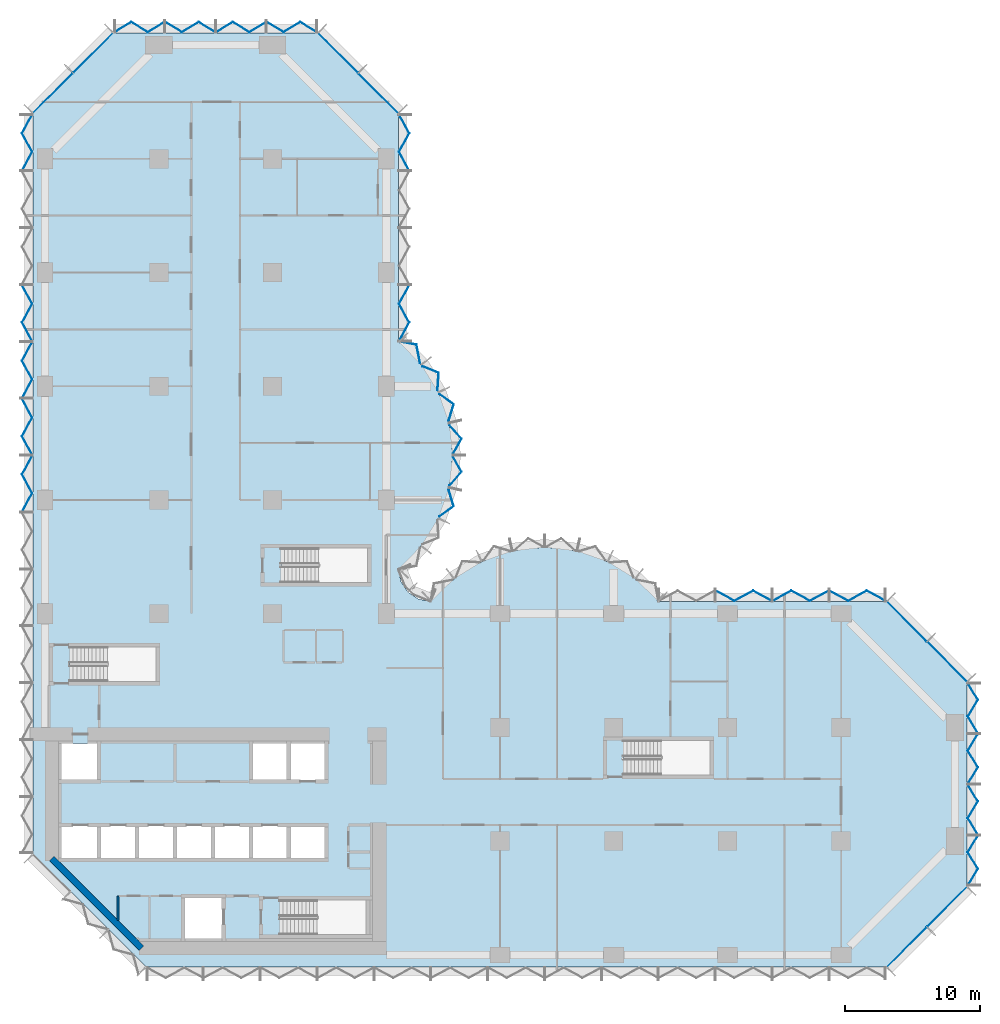
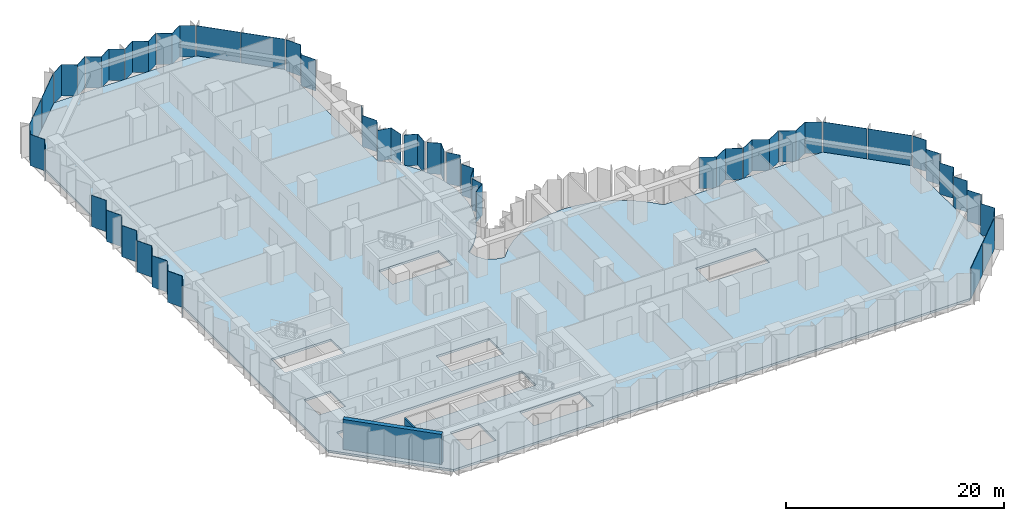
# One storey, part 6 of 15: 32 plates, 2 walls, 1 slab, 10 elements without a shape of their own.
"""IFC4 building model written with IfcOpenShell, lengths in metres."""

from ifc_helpers import new_model, si_unit, direction, frame, frame_2d, origin, place, context, subcontext, project, spatial, polyline, rectangle, outline, extrude, material, layer, layer_set, type_object, element, aggregate, save


model = new_model("IFC4")

# Units and contexts
model_context = context("Model", 3, precision=1e-05, world=origin(), true_north=direction((0.0, 1.0)))
body_context = subcontext(model_context, "Body", "Model", "MODEL_VIEW")
ifc_project = project(units=[si_unit("LENGTHUNIT", "METRE"), si_unit("AREAUNIT", "SQUARE_METRE"), si_unit("VOLUMEUNIT", "CUBIC_METRE"), si_unit("PLANEANGLEUNIT", "RADIAN"), si_unit("MASSUNIT", "GRAM", prefix="KILO")], contexts=[model_context])

# Site, building, storey
site_placement = place(None, origin())
site = spatial("IfcSite", under=ifc_project, at=site_placement, CompositionType="ELEMENT")
building_placement = place(site_placement, origin())
building = spatial("IfcBuilding", under=site, at=building_placement, Name="Brevane Broadcast Tower", CompositionType="ELEMENT")
storey_placement = place(building_placement, frame((0.0, 0.0, 76.10009765625)))
storey = spatial("IfcBuildingStorey", under=building, at=storey_placement, Name="L17", CompositionType="ELEMENT", Elevation=76.10009765625)

# Curtain wall, plates
ifc_material_1 = material(Name="Aluminium 6063-T6 bronze anodised", Category="aluminium")
curtain_wall_type = type_object("IfcCurtainWallType", Name="CW-1 curtain wall", PredefinedType="NOTDEFINED", material=ifc_material_1)
curtain_wall_1_placement = place(storey_placement, origin())
curtain_wall_1 = element("IfcCurtainWall", 1, at=curtain_wall_1_placement, inside=storey, type_object=curtain_wall_type, Name="CW-1 typical tilted unit L17 south-east chamfer", PredefinedType="NOTDEFINED")
ifc_material_2 = material(Name="Laminated glass bronze-tinted", Category="glass")
ifc_layer_1 = layer(ifc_material_2, 0.0400390625)
ifc_layer_set_1 = layer_set([ifc_layer_1], Name="CW tall glass panel 40")
plate_type = type_object("IfcPlateType", Name="CW tall glass panel 40", PredefinedType="CURTAIN_PANEL", material=ifc_layer_set_1)
plate_1_placement = place(storey_placement, frame((0.0, 0.0, -0.150146484375)))
plate_1 = element("IfcPlate", 2, at=plate_1_placement, type_object=plate_type, Name="CW-1 glass panel", PredefinedType="CURTAIN_PANEL", context=body_context, shape_type="SweptSolid", body=[
    extrude(outline(polyline([(62.14599609375, -0.896484375), (65.096435546875, 2.053955078125), (65.124755859375, 2.02587890625), (62.17431640625, -0.9248046875), (62.14599609375, -0.896484375)])), origin(), (0.0, 0.0, 1.0), 3.5),
])
plate_2_placement = place(storey_placement, frame((0.0, 0.0, -0.150146484375)))
plate_2 = element("IfcPlate", 3, at=plate_2_placement, type_object=plate_type, Name="CW-1 glass panel", PredefinedType="CURTAIN_PANEL", context=body_context, shape_type="SweptSolid", body=[
    extrude(outline(polyline([(65.14599609375, 2.103515625), (68.096435546875, 5.053955078125), (68.124755859375, 5.02587890625), (65.17431640625, 2.0751953125), (65.14599609375, 2.103515625)])), origin(), (0.0, 0.0, 1.0), 3.5),
])
aggregate(curtain_wall_1, [plate_1, plate_2])

curtain_wall_2_placement = place(storey_placement, origin())
curtain_wall_2 = element("IfcCurtainWall", 4, at=curtain_wall_2_placement, inside=storey, type_object=curtain_wall_type, Name="CW-1 typical tilted unit L17 east end", PredefinedType="NOTDEFINED")
plate_3_placement = place(storey_placement, frame((0.0, 0.0, -0.150146484375)))
plate_3 = element("IfcPlate", 5, at=plate_3_placement, type_object=plate_type, Name="CW-1 glass panel", PredefinedType="CURTAIN_PANEL", context=body_context, shape_type="SweptSolid", body=[
    extrude(outline(polyline([(68.126708984375, 5.135009765625), (68.17333984375, 5.135009765625), (68.917724609375, 6.36181640625), (68.17333984375, 7.58837890625), (68.917724609375, 8.81494140625), (68.87109375, 8.81494140625), (68.126708984375, 7.58837890625), (68.87109375, 6.36181640625), (68.126708984375, 5.135009765625)])), origin(), (0.0, 0.0, 1.0), 3.5),
])
plate_4_placement = place(storey_placement, frame((0.0, 0.0, -0.150146484375)))
plate_4 = element("IfcPlate", 6, at=plate_4_placement, type_object=plate_type, Name="CW-1 glass panel", PredefinedType="CURTAIN_PANEL", context=body_context, shape_type="SweptSolid", body=[
    extrude(outline(polyline([(68.87109375, 8.885009765625), (68.917724609375, 8.885009765625), (68.17333984375, 10.11181640625), (68.917724609375, 11.33837890625), (68.17333984375, 12.56494140625), (68.126708984375, 12.56494140625), (68.87109375, 11.33837890625), (68.126708984375, 10.11181640625), (68.87109375, 8.885009765625)])), origin(), (0.0, 0.0, 1.0), 3.5),
])
plate_5_placement = place(storey_placement, frame((0.0, 0.0, -0.150146484375)))
plate_5 = element("IfcPlate", 7, at=plate_5_placement, type_object=plate_type, Name="CW-1 glass panel", PredefinedType="CURTAIN_PANEL", context=body_context, shape_type="SweptSolid", body=[
    extrude(outline(polyline([(68.126708984375, 12.635009765625), (68.17333984375, 12.635009765625), (68.917724609375, 13.86181640625), (68.17333984375, 15.08837890625), (68.917724609375, 16.31494140625), (68.87109375, 16.31494140625), (68.126708984375, 15.08837890625), (68.87109375, 13.86181640625), (68.126708984375, 12.635009765625)])), origin(), (0.0, 0.0, 1.0), 3.5),
])
plate_6_placement = place(storey_placement, frame((0.0, 0.0, -0.150146484375)))
plate_6 = element("IfcPlate", 8, at=plate_6_placement, type_object=plate_type, Name="CW-1 glass panel", PredefinedType="CURTAIN_PANEL", context=body_context, shape_type="SweptSolid", body=[
    extrude(outline(polyline([(68.87109375, 16.385009765625), (68.917724609375, 16.385009765625), (68.17333984375, 17.61181640625), (68.917724609375, 18.83837890625), (68.17333984375, 20.06494140625), (68.126708984375, 20.06494140625), (68.87109375, 18.83837890625), (68.126708984375, 17.61181640625), (68.87109375, 16.385009765625)])), origin(), (0.0, 0.0, 1.0), 3.5),
])
aggregate(curtain_wall_2, [plate_3, plate_4, plate_5, plate_6])

curtain_wall_3_placement = place(storey_placement, origin())
curtain_wall_3 = element("IfcCurtainWall", 9, at=curtain_wall_3_placement, inside=storey, type_object=curtain_wall_type, Name="CW-1 typical tilted unit L17 north-east chamfer", PredefinedType="NOTDEFINED")
plate_7_placement = place(storey_placement, frame((0.0, 0.0, -0.150146484375)))
plate_7 = element("IfcPlate", 10, at=plate_7_placement, type_object=plate_type, Name="CW-1 glass panel", PredefinedType="CURTAIN_PANEL", context=body_context, shape_type="SweptSolid", body=[
    extrude(outline(polyline([(68.096435546875, 20.14599609375), (65.14599609375, 23.096435546875), (65.17431640625, 23.124755859375), (68.124755859375, 20.17431640625), (68.096435546875, 20.14599609375)])), origin(), (0.0, 0.0, 1.0), 3.5),
])
plate_8_placement = place(storey_placement, frame((0.0, 0.0, -0.150146484375)))
plate_8 = element("IfcPlate", 11, at=plate_8_placement, type_object=plate_type, Name="CW-1 glass panel", PredefinedType="CURTAIN_PANEL", context=body_context, shape_type="SweptSolid", body=[
    extrude(outline(polyline([(65.096435546875, 23.14599609375), (62.14599609375, 26.096435546875), (62.17431640625, 26.124755859375), (65.124755859375, 23.17431640625), (65.096435546875, 23.14599609375)])), origin(), (0.0, 0.0, 1.0), 3.5),
])
aggregate(curtain_wall_3, [plate_7, plate_8])

curtain_wall_4_placement = place(storey_placement, origin())
curtain_wall_4 = element("IfcCurtainWall", 12, at=curtain_wall_4_placement, inside=storey, type_object=curtain_wall_type, Name="CW-1 typical tilted unit L17 east arm north face", PredefinedType="NOTDEFINED")
plate_9_placement = place(storey_placement, frame((0.0, 0.0, -0.150146484375)))
plate_9 = element("IfcPlate", 13, at=plate_9_placement, type_object=plate_type, Name="CW-1 glass panel", PredefinedType="CURTAIN_PANEL", context=body_context, shape_type="SweptSolid", body=[
    extrude(outline(polyline([(62.06494140625, 26.127197265625), (62.06494140625, 26.172607421875), (60.688232421875, 26.9169921875), (59.311767578125, 26.172607421875), (57.93505859375, 26.9169921875), (57.93505859375, 26.87158203125), (59.311767578125, 26.127197265625), (60.688232421875, 26.87158203125), (62.06494140625, 26.127197265625)])), origin(), (0.0, 0.0, 1.0), 3.5),
])
plate_10_placement = place(storey_placement, frame((0.0, 0.0, -0.150146484375)))
plate_10 = element("IfcPlate", 14, at=plate_10_placement, type_object=plate_type, Name="CW-1 glass panel", PredefinedType="CURTAIN_PANEL", context=body_context, shape_type="SweptSolid", body=[
    extrude(outline(polyline([(57.864990234375, 26.87158203125), (57.864990234375, 26.9169921875), (56.48828125, 26.172607421875), (55.11181640625, 26.9169921875), (53.735107421875, 26.172607421875), (53.735107421875, 26.127197265625), (55.11181640625, 26.87158203125), (56.48828125, 26.127197265625), (57.864990234375, 26.87158203125)])), origin(), (0.0, 0.0, 1.0), 3.5),
])
plate_11_placement = place(storey_placement, frame((0.0, 0.0, -0.150146484375)))
plate_11 = element("IfcPlate", 15, at=plate_11_placement, type_object=plate_type, Name="CW-1 glass panel", PredefinedType="CURTAIN_PANEL", context=body_context, shape_type="SweptSolid", body=[
    extrude(outline(polyline([(53.6650390625, 26.127197265625), (53.6650390625, 26.172607421875), (52.288330078125, 26.9169921875), (50.91162109375, 26.172607421875), (49.534912109375, 26.9169921875), (49.534912109375, 26.87158203125), (50.91162109375, 26.127197265625), (52.288330078125, 26.87158203125), (53.6650390625, 26.127197265625)])), origin(), (0.0, 0.0, 1.0), 3.5),
])
aggregate(curtain_wall_4, [plate_9, plate_10, plate_11])

curtain_wall_5_placement = place(storey_placement, origin())
curtain_wall_5 = element("IfcCurtainWall", 16, at=curtain_wall_5_placement, inside=storey, type_object=curtain_wall_type, Name="CW-1 typical tilted unit L17 north bow", PredefinedType="NOTDEFINED")
plate_12_placement = place(storey_placement, frame((0.0, 0.0, -0.150146484375)))
plate_12 = element("IfcPlate", 17, at=plate_12_placement, type_object=plate_type, Name="CW-1 glass panel", PredefinedType="CURTAIN_PANEL", context=body_context, shape_type="SweptSolid", body=[
    extrude(outline(polyline([(29.104248046875, 32.400634765625), (29.1455078125, 32.381103515625), (30.20166015625, 33.132080078125), (29.83349609375, 34.349365234375), (29.78857421875, 34.359619140625), (30.155029296875, 33.148193359375), (29.104248046875, 32.400634765625)])), origin(), (0.0, 0.0, 1.0), 3.5),
])
plate_13_placement = place(storey_placement, frame((0.0, 0.0, -0.150146484375)))
plate_13 = element("IfcPlate", 18, at=plate_13_placement, type_object=plate_type, Name="CW-1 glass panel", PredefinedType="CURTAIN_PANEL", context=body_context, shape_type="SweptSolid", body=[
    extrude(outline(polyline([(29.859619140625, 34.6748046875), (29.903564453125, 34.664794921875), (30.779296875, 35.68310546875), (30.15869140625, 36.7919921875), (30.11279296875, 36.7919921875), (30.730712890625, 35.68798828125), (29.859619140625, 34.6748046875)])), origin(), (0.0, 0.0, 1.0), 3.5),
])
plate_14_placement = place(storey_placement, frame((0.0, 0.0, -0.150146484375)))
plate_14 = element("IfcPlate", 19, at=plate_14_placement, type_object=plate_type, Name="CW-1 glass panel", PredefinedType="CURTAIN_PANEL", context=body_context, shape_type="SweptSolid", body=[
    extrude(outline(polyline([(30.11279296875, 37.008056640625), (30.15869140625, 37.008056640625), (30.779296875, 38.116943359375), (29.903564453125, 39.13525390625), (29.859619140625, 39.125), (30.730712890625, 38.112060546875), (30.11279296875, 37.008056640625)])), origin(), (0.0, 0.0, 1.0), 3.5),
])
plate_15_placement = place(storey_placement, frame((0.0, 0.0, -0.150146484375)))
plate_15 = element("IfcPlate", 20, at=plate_15_placement, type_object=plate_type, Name="CW-1 glass panel", PredefinedType="CURTAIN_PANEL", context=body_context, shape_type="SweptSolid", body=[
    extrude(outline(polyline([(29.78857421875, 39.440185546875), (29.83349609375, 39.45068359375), (30.20166015625, 40.667724609375), (29.1455078125, 41.4189453125), (29.104248046875, 41.3994140625), (30.155029296875, 40.65185546875), (29.78857421875, 39.440185546875)])), origin(), (0.0, 0.0, 1.0), 3.5),
])
plate_16_placement = place(storey_placement, frame((0.0, 0.0, -0.150146484375)))
plate_16 = element("IfcPlate", 21, at=plate_16_placement, type_object=plate_type, Name="CW-1 glass panel", PredefinedType="CURTAIN_PANEL", context=body_context, shape_type="SweptSolid", body=[
    extrude(outline(polyline([(28.96533203125, 41.69091796875), (29.006591796875, 41.710693359375), (29.089111328125, 43.00390625), (27.912109375, 43.4853515625), (27.8759765625, 43.45703125), (29.04736328125, 42.977783203125), (28.96533203125, 41.69091796875)])), origin(), (0.0, 0.0, 1.0), 3.5),
])
plate_17_placement = place(storey_placement, frame((0.0, 0.0, -0.150146484375)))
plate_17 = element("IfcPlate", 22, at=plate_17_placement, type_object=plate_type, Name="CW-1 glass panel", PredefinedType="CURTAIN_PANEL", context=body_context, shape_type="SweptSolid", body=[
    extrude(outline(polyline([(27.67626953125, 43.7109375), (27.71142578125, 43.738525390625), (27.447265625, 45.086181640625), (26.17919921875, 45.327880859375), (26.14404296875, 45.2939453125), (27.4130859375, 45.052001953125), (27.67626953125, 43.7109375)])), origin(), (0.0, 0.0, 1.0), 3.5),
])
aggregate(curtain_wall_5, [plate_12, plate_13, plate_14, plate_15, plate_16, plate_17])

curtain_wall_6_placement = place(storey_placement, origin())
curtain_wall_6 = element("IfcCurtainWall", 23, at=curtain_wall_6_placement, inside=storey, type_object=curtain_wall_type, Name="CW-1 typical tilted unit L17 north arm east face", PredefinedType="NOTDEFINED")
plate_18_placement = place(storey_placement, frame((0.0, 0.0, -0.150146484375)))
plate_18 = element("IfcPlate", 24, at=plate_18_placement, type_object=plate_type, Name="CW-1 glass panel", PredefinedType="CURTAIN_PANEL", context=body_context, shape_type="SweptSolid", body=[
    extrude(outline(polyline([(26.127197265625, 45.3349609375), (26.172607421875, 45.3349609375), (26.9169921875, 46.711669921875), (26.172607421875, 48.08837890625), (26.9169921875, 49.465087890625), (26.87158203125, 49.465087890625), (26.127197265625, 48.08837890625), (26.87158203125, 46.711669921875), (26.127197265625, 45.3349609375)])), origin(), (0.0, 0.0, 1.0), 3.5),
])
plate_19_placement = place(storey_placement, frame((0.0, 0.0, -0.150146484375)))
plate_19 = element("IfcPlate", 25, at=plate_19_placement, type_object=plate_type, Name="CW-1 glass panel", PredefinedType="CURTAIN_PANEL", context=body_context, shape_type="SweptSolid", body=[
    extrude(outline(polyline([(26.87158203125, 57.93505859375), (26.9169921875, 57.93505859375), (26.172607421875, 59.311767578125), (26.9169921875, 60.688232421875), (26.172607421875, 62.06494140625), (26.127197265625, 62.06494140625), (26.87158203125, 60.688232421875), (26.127197265625, 59.311767578125), (26.87158203125, 57.93505859375)])), origin(), (0.0, 0.0, 1.0), 3.5),
])
aggregate(curtain_wall_6, [plate_18, plate_19])

curtain_wall_7_placement = place(storey_placement, origin())
curtain_wall_7 = element("IfcCurtainWall", 26, at=curtain_wall_7_placement, inside=storey, type_object=curtain_wall_type, Name="CW-1 typical tilted unit L17 north arm north-east chamfer", PredefinedType="NOTDEFINED")
plate_20_placement = place(storey_placement, frame((0.0, 0.0, -0.150146484375)))
plate_20 = element("IfcPlate", 27, at=plate_20_placement, type_object=plate_type, Name="CW-1 glass panel", PredefinedType="CURTAIN_PANEL", context=body_context, shape_type="SweptSolid", body=[
    extrude(outline(polyline([(26.096435546875, 62.14599609375), (23.14599609375, 65.096435546875), (23.17431640625, 65.124755859375), (26.124755859375, 62.17431640625), (26.096435546875, 62.14599609375)])), origin(), (0.0, 0.0, 1.0), 3.5),
])
plate_21_placement = place(storey_placement, frame((0.0, 0.0, -0.150146484375)))
plate_21 = element("IfcPlate", 28, at=plate_21_placement, type_object=plate_type, Name="CW-1 glass panel", PredefinedType="CURTAIN_PANEL", context=body_context, shape_type="SweptSolid", body=[
    extrude(outline(polyline([(23.096435546875, 65.14599609375), (20.14599609375, 68.096435546875), (20.17431640625, 68.124755859375), (23.124755859375, 65.17431640625), (23.096435546875, 65.14599609375)])), origin(), (0.0, 0.0, 1.0), 3.5),
])
aggregate(curtain_wall_7, [plate_20, plate_21])

curtain_wall_8_placement = place(storey_placement, origin())
curtain_wall_8 = element("IfcCurtainWall", 29, at=curtain_wall_8_placement, inside=storey, type_object=curtain_wall_type, Name="CW-1 typical tilted unit L17 north end", PredefinedType="NOTDEFINED")
plate_22_placement = place(storey_placement, frame((0.0, 0.0, -0.150146484375)))
plate_22 = element("IfcPlate", 30, at=plate_22_placement, type_object=plate_type, Name="CW-1 glass panel", PredefinedType="CURTAIN_PANEL", context=body_context, shape_type="SweptSolid", body=[
    extrude(outline(polyline([(20.06494140625, 68.126708984375), (20.06494140625, 68.17333984375), (18.83837890625, 68.917724609375), (17.61181640625, 68.17333984375), (16.385009765625, 68.917724609375), (16.385009765625, 68.87109375), (17.61181640625, 68.126708984375), (18.83837890625, 68.87109375), (20.06494140625, 68.126708984375)])), origin(), (0.0, 0.0, 1.0), 3.5),
])
plate_23_placement = place(storey_placement, frame((0.0, 0.0, -0.150146484375)))
plate_23 = element("IfcPlate", 31, at=plate_23_placement, type_object=plate_type, Name="CW-1 glass panel", PredefinedType="CURTAIN_PANEL", context=body_context, shape_type="SweptSolid", body=[
    extrude(outline(polyline([(16.31494140625, 68.87109375), (16.31494140625, 68.917724609375), (15.08837890625, 68.17333984375), (13.86181640625, 68.917724609375), (12.635009765625, 68.17333984375), (12.635009765625, 68.126708984375), (13.86181640625, 68.87109375), (15.08837890625, 68.126708984375), (16.31494140625, 68.87109375)])), origin(), (0.0, 0.0, 1.0), 3.5),
])
plate_24_placement = place(storey_placement, frame((0.0, 0.0, -0.150146484375)))
plate_24 = element("IfcPlate", 32, at=plate_24_placement, type_object=plate_type, Name="CW-1 glass panel", PredefinedType="CURTAIN_PANEL", context=body_context, shape_type="SweptSolid", body=[
    extrude(outline(polyline([(12.56494140625, 68.126708984375), (12.56494140625, 68.17333984375), (11.33837890625, 68.917724609375), (10.11181640625, 68.17333984375), (8.885009765625, 68.917724609375), (8.885009765625, 68.87109375), (10.11181640625, 68.126708984375), (11.33837890625, 68.87109375), (12.56494140625, 68.126708984375)])), origin(), (0.0, 0.0, 1.0), 3.5),
])
plate_25_placement = place(storey_placement, frame((0.0, 0.0, -0.150146484375)))
plate_25 = element("IfcPlate", 33, at=plate_25_placement, type_object=plate_type, Name="CW-1 glass panel", PredefinedType="CURTAIN_PANEL", context=body_context, shape_type="SweptSolid", body=[
    extrude(outline(polyline([(8.81494140625, 68.87109375), (8.81494140625, 68.917724609375), (7.58837890625, 68.17333984375), (6.36181640625, 68.917724609375), (5.135009765625, 68.17333984375), (5.135009765625, 68.126708984375), (6.36181640625, 68.87109375), (7.58837890625, 68.126708984375), (8.81494140625, 68.87109375)])), origin(), (0.0, 0.0, 1.0), 3.5),
])
aggregate(curtain_wall_8, [plate_22, plate_23, plate_24, plate_25])

curtain_wall_9_placement = place(storey_placement, origin())
curtain_wall_9 = element("IfcCurtainWall", 34, at=curtain_wall_9_placement, inside=storey, type_object=curtain_wall_type, Name="CW-1 typical tilted unit L17 north-west chamfer", PredefinedType="NOTDEFINED")
plate_26_placement = place(storey_placement, frame((0.0, 0.0, -0.150146484375)))
plate_26 = element("IfcPlate", 35, at=plate_26_placement, type_object=plate_type, Name="CW-1 glass panel", PredefinedType="CURTAIN_PANEL", context=body_context, shape_type="SweptSolid", body=[
    extrude(outline(polyline([(5.053955078125, 68.096435546875), (2.103515625, 65.14599609375), (2.0751953125, 65.17431640625), (5.02587890625, 68.124755859375), (5.053955078125, 68.096435546875)])), origin(), (0.0, 0.0, 1.0), 3.5),
])
plate_27_placement = place(storey_placement, frame((0.0, 0.0, -0.150146484375)))
plate_27 = element("IfcPlate", 36, at=plate_27_placement, type_object=plate_type, Name="CW-1 glass panel", PredefinedType="CURTAIN_PANEL", context=body_context, shape_type="SweptSolid", body=[
    extrude(outline(polyline([(2.053955078125, 65.096435546875), (-0.896484375, 62.14599609375), (-0.9248046875, 62.17431640625), (2.02587890625, 65.124755859375), (2.053955078125, 65.096435546875)])), origin(), (0.0, 0.0, 1.0), 3.5),
])
aggregate(curtain_wall_9, [plate_26, plate_27])

curtain_wall_10_placement = place(storey_placement, origin())
curtain_wall_10 = element("IfcCurtainWall", 37, at=curtain_wall_10_placement, inside=storey, type_object=curtain_wall_type, Name="CW-1 typical tilted unit L17 west face", PredefinedType="NOTDEFINED")
plate_28_placement = place(storey_placement, frame((0.0, 0.0, -0.150146484375)))
plate_28 = element("IfcPlate", 38, at=plate_28_placement, type_object=plate_type, Name="CW-1 glass panel", PredefinedType="CURTAIN_PANEL", context=body_context, shape_type="SweptSolid", body=[
    extrude(outline(polyline([(-0.92724609375, 62.06494140625), (-0.97265625, 62.06494140625), (-1.717041015625, 60.688232421875), (-0.97265625, 59.311767578125), (-1.717041015625, 57.93505859375), (-1.671630859375, 57.93505859375), (-0.92724609375, 59.311767578125), (-1.671630859375, 60.688232421875), (-0.92724609375, 62.06494140625)])), origin(), (0.0, 0.0, 1.0), 3.5),
])
plate_29_placement = place(storey_placement, frame((0.0, 0.0, -0.150146484375)))
plate_29 = element("IfcPlate", 39, at=plate_29_placement, type_object=plate_type, Name="CW-1 glass panel", PredefinedType="CURTAIN_PANEL", context=body_context, shape_type="SweptSolid", body=[
    extrude(outline(polyline([(-1.671630859375, 49.465087890625), (-1.717041015625, 49.465087890625), (-0.97265625, 48.08837890625), (-1.717041015625, 46.711669921875), (-0.97265625, 45.3349609375), (-0.92724609375, 45.3349609375), (-1.671630859375, 46.711669921875), (-0.92724609375, 48.08837890625), (-1.671630859375, 49.465087890625)])), origin(), (0.0, 0.0, 1.0), 3.5),
])
plate_30_placement = place(storey_placement, frame((0.0, 0.0, -0.150146484375)))
plate_30 = element("IfcPlate", 40, at=plate_30_placement, type_object=plate_type, Name="CW-1 glass panel", PredefinedType="CURTAIN_PANEL", context=body_context, shape_type="SweptSolid", body=[
    extrude(outline(polyline([(-0.92724609375, 45.264892578125), (-0.97265625, 45.264892578125), (-1.717041015625, 43.88818359375), (-0.97265625, 42.51171875), (-1.717041015625, 41.135009765625), (-1.671630859375, 41.135009765625), (-0.92724609375, 42.51171875), (-1.671630859375, 43.88818359375), (-0.92724609375, 45.264892578125)])), origin(), (0.0, 0.0, 1.0), 3.5),
])
plate_31_placement = place(storey_placement, frame((0.0, 0.0, -0.150146484375)))
plate_31 = element("IfcPlate", 41, at=plate_31_placement, type_object=plate_type, Name="CW-1 glass panel", PredefinedType="CURTAIN_PANEL", context=body_context, shape_type="SweptSolid", body=[
    extrude(outline(polyline([(-1.671630859375, 41.06494140625), (-1.717041015625, 41.06494140625), (-0.97265625, 39.688232421875), (-1.717041015625, 38.311767578125), (-0.97265625, 36.93505859375), (-0.92724609375, 36.93505859375), (-1.671630859375, 38.311767578125), (-0.92724609375, 39.688232421875), (-1.671630859375, 41.06494140625)])), origin(), (0.0, 0.0, 1.0), 3.5),
])
plate_32_placement = place(storey_placement, frame((0.0, 0.0, -0.150146484375)))
plate_32 = element("IfcPlate", 42, at=plate_32_placement, type_object=plate_type, Name="CW-1 glass panel", PredefinedType="CURTAIN_PANEL", context=body_context, shape_type="SweptSolid", body=[
    extrude(outline(polyline([(-0.92724609375, 36.864990234375), (-0.97265625, 36.864990234375), (-1.717041015625, 35.48828125), (-0.97265625, 34.11181640625), (-1.717041015625, 32.735107421875), (-1.671630859375, 32.735107421875), (-0.92724609375, 34.11181640625), (-1.671630859375, 35.48828125), (-0.92724609375, 36.864990234375)])), origin(), (0.0, 0.0, 1.0), 3.5),
])
aggregate(curtain_wall_10, [plate_28, plate_29, plate_30, plate_31, plate_32])

# Slab
ifc_material_3 = material(Name="Concrete C40/50", Category="concrete")
ifc_layer_2 = layer(ifc_material_3, 0.25)
ifc_layer_set_2 = layer_set([ifc_layer_2], Name="RC FLOOR SLAB 250 C40/50")
slab_type = type_object("IfcSlabType", Name="RC FLOOR SLAB 250 C40/50", PredefinedType="FLOOR", material=ifc_layer_set_2)
slab_placement = place(storey_placement, frame((0.0, 0.0, -0.25)))
element("IfcSlab", 43, at=slab_placement, inside=storey, type_object=slab_type, Name="SL250 L17", PredefinedType="FLOOR", context=body_context, shape_type="SweptSolid", body=[
    extrude(outline(polyline([(-0.89990234375, 7.5), (-0.89990234375, 62.10009765625), (5.10009765625, 68.10009765625), (20.10009765625, 68.10009765625), (26.10009765625, 62.10009765625), (26.10009765625, 45.300048828125), (27.10888671875, 44.36865234375), (27.99169921875, 43.317138671875), (28.734130859375, 42.162353515625), (29.324462890625, 40.922607421875), (29.7529296875, 39.618408203125), (30.012939453125, 38.270263671875), (30.10009765625, 36.89990234375), (30.012939453125, 35.52978515625), (29.7529296875, 34.181640625), (29.324462890625, 32.877197265625), (28.734130859375, 31.6376953125), (27.99169921875, 30.48291015625), (27.10888671875, 29.431396484375), (26.10009765625, 28.5), (26.28271484375, 27.58154296875), (26.802978515625, 26.802978515625), (27.58154296875, 26.28271484375), (28.5, 26.10009765625), (29.431396484375, 27.10888671875), (30.48291015625, 27.99169921875), (31.6376953125, 28.734130859375), (32.877197265625, 29.324462890625), (34.181640625, 29.7529296875), (35.52978515625, 30.012939453125), (36.89990234375, 30.10009765625), (38.270263671875, 30.012939453125), (39.618408203125, 29.7529296875), (40.922607421875, 29.324462890625), (42.162353515625, 28.734130859375), (43.317138671875, 27.99169921875), (44.36865234375, 27.10888671875), (45.300048828125, 26.10009765625), (62.10009765625, 26.10009765625), (68.10009765625, 20.10009765625), (68.10009765625, 5.10009765625), (62.10009765625, -0.89990234375), (7.5, -0.89990234375), (-0.89990234375, 7.5)]), holes=[polyline([(13.199951171875, 4.39990234375), (10.199951171875, 4.39990234375), (10.199951171875, 1.199951171875), (13.199951171875, 1.199951171875), (13.199951171875, 4.39990234375)]), polyline([(4.0, 9.60009765625), (1.199951171875, 9.60009765625), (1.199951171875, 7.0), (4.0, 7.0), (6.800048828125, 7.0), (9.60009765625, 7.0), (12.39990234375, 7.0), (15.199951171875, 7.0), (18.0, 7.0), (20.800048828125, 7.0), (20.800048828125, 9.60009765625), (18.0, 9.60009765625), (15.199951171875, 9.60009765625), (12.39990234375, 9.60009765625), (9.60009765625, 9.60009765625), (6.800048828125, 9.60009765625), (4.0, 9.60009765625)]), polyline([(4.0, 12.800048828125), (4.0, 15.60009765625), (1.199951171875, 15.60009765625), (1.199951171875, 12.800048828125), (4.0, 12.800048828125)]), polyline([(8.199951171875, 22.75), (1.860107421875, 22.75), (1.860107421875, 20.199951171875), (8.199951171875, 20.199951171875), (8.199951171875, 22.75)]), polyline([(23.699951171875, 4.050048828125), (17.360107421875, 4.050048828125), (17.360107421875, 1.5), (23.699951171875, 1.5), (23.699951171875, 4.050048828125)]), polyline([(18.0, 15.60009765625), (15.199951171875, 15.60009765625), (15.199951171875, 12.800048828125), (18.0, 12.800048828125), (20.800048828125, 12.800048828125), (20.800048828125, 15.60009765625), (18.0, 15.60009765625)]), polyline([(49.10009765625, 15.85009765625), (42.760009765625, 15.85009765625), (42.760009765625, 13.300048828125), (49.10009765625, 13.300048828125), (49.10009765625, 15.85009765625)]), polyline([(23.800048828125, 30.050048828125), (17.4599609375, 30.050048828125), (17.4599609375, 27.5), (23.800048828125, 27.5), (23.800048828125, 30.050048828125)])]), origin(), (0.0, 0.0, 1.0), 0.25),
])

# Walls
ifc_material_4 = material(Name="Gypsum board on steel studs", Category="steel")
ifc_layer_3 = layer(ifc_material_4, 0.14990234375)
ifc_layer_set_3 = layer_set([ifc_layer_3], Name="Core fire partition 150 mm")
wall_type_1 = type_object("IfcWallType", Name="Core fire partition 150 mm", PredefinedType="PARTITIONING", material=ifc_layer_set_3)
wall_1_placement = place(storey_placement, frame((5.39990234375, 2.553466796875, 0.0), z_axis=(0.0, 0.0, 1.0), x_axis=(0.0, 1.0, 0.0)))
element("IfcWall", 44, at=wall_1_placement, inside=storey, type_object=wall_type_1, Name="L17 partition wall P10", PredefinedType="PARTITIONING", context=body_context, shape_type="SweptSolid", body=[
    extrude(rectangle(XDim=1.796630859375, YDim=0.14990234375, at=frame_2d((0.8984375, 0.0))), origin(), (0.0, 0.0, 1.0), 3.349853515625),
])
ifc_material_5 = material(Name="Concrete C80/95", Category="concrete")
ifc_layer_4 = layer(ifc_material_5, 0.449951171875)
ifc_layer_set_4 = layer_set([ifc_layer_4], Name="Core wall 450 mm C80/95")
wall_type_2 = type_object("IfcWallType", Name="Core wall 450 mm C80/95", PredefinedType="SHEAR", material=ifc_layer_set_4)
wall_2_placement = place(storey_placement, frame((0.5, 7.1181640625, 0.0), z_axis=(0.0, 0.0, 1.0), x_axis=(0.707106781187, -0.707106781187, 0.0)))
element("IfcWall", 45, at=wall_2_placement, inside=storey, type_object=wall_type_2, Name="L17 outer wall WC", PredefinedType="SHEAR", context=body_context, shape_type="SweptSolid", body=[
    extrude(rectangle(XDim=9.359619140625, YDim=0.449951171875, at=frame_2d((4.6796875, 0.0))), origin(), (0.0, 0.0, 1.0), 3.349853515625),
])

save(model, "model.ifc")
